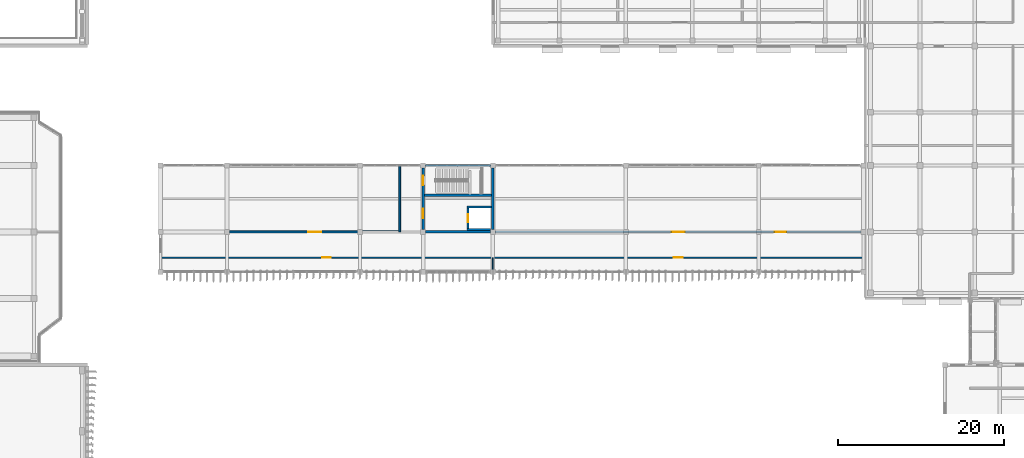
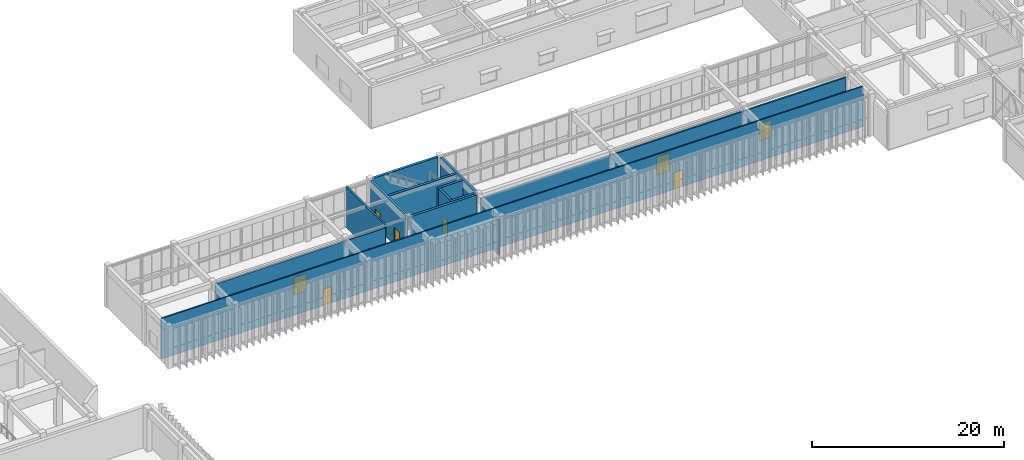
# One storey, part 41 of 64: 14 walls, 8 doors, 8 openings.
"""IFC4 building model written with IfcOpenShell, lengths in metres."""

from ifc_helpers import new_model, si_unit, direction, frame, frame_2d, origin, place, context, subcontext, project, spatial, rectangle, extrude, material, layer, layer_set, type_object, element, fill, save


model = new_model("IFC4")

# Units and contexts
model_context = context("Model", 3, precision=1e-05, world=origin(), true_north=direction((0.0, 1.0)))
body_context = subcontext(model_context, "Body", "Model", "MODEL_VIEW")
ifc_project = project(units=[si_unit("LENGTHUNIT", "METRE"), si_unit("AREAUNIT", "SQUARE_METRE"), si_unit("VOLUMEUNIT", "CUBIC_METRE"), si_unit("PLANEANGLEUNIT", "RADIAN"), si_unit("MASSUNIT", "GRAM", prefix="KILO")], contexts=[model_context])

# Site, building, storey
site_placement = place(None, origin())
site = spatial("IfcSite", under=ifc_project, at=site_placement, CompositionType="ELEMENT")
building_placement = place(site_placement, origin())
building = spatial("IfcBuilding", under=site, at=building_placement, Name="Cinchona Park Media Centre", CompositionType="ELEMENT")
storey_placement = place(building_placement, frame((0.0, 0.0, 10.199951171875)))
storey = spatial("IfcBuildingStorey", under=building, at=storey_placement, Name="L02", CompositionType="ELEMENT", Elevation=10.199951171875)

# Wall
ifc_material_1 = material(Name="Acoustic Double-Stud Gypsum Partition", Category="gypsum")
ifc_layer_1 = layer(ifc_material_1, 0.2099609375)
ifc_layer_set_1 = layer_set([ifc_layer_1], Name="Acoustic Double-Stud Gypsum Partition")
wall_type_1 = type_object("IfcWallType", Name="WALL-W-AC210", PredefinedType="PARTITIONING", material=ifc_layer_set_1)
wall_1_placement = place(storey_placement, frame((83.60009765625, 79.60009765625, 0.0), z_axis=(0.0, 0.0, 1.0), x_axis=(0.0, 1.0, 0.0)))
element("IfcWall", 1, at=wall_1_placement, inside=storey, type_object=wall_type_1, Name="Interior Wall W-AC210 L02", PredefinedType="PARTITIONING", context=body_context, shape_type="SweptSolid", body=[
    extrude(rectangle(XDim=8.0, YDim=0.2099609375, at=frame_2d((4.0, 0.0))), origin(), (0.0, 0.0, 1.0), 5.16015625),
])

# Wall, opening, door
ifc_material_2 = material(Name="Acoustic Double-Stud Gypsum Partition", Category="gypsum")
ifc_layer_2 = layer(ifc_material_2, 0.239990234375)
ifc_layer_set_2 = layer_set([ifc_layer_2], Name="Acoustic Double-Stud Gypsum Partition")
wall_type_2 = type_object("IfcWallType", Name="WALL-W-AC240", PredefinedType="PARTITIONING", material=ifc_layer_set_2)
wall_2_placement = place(storey_placement, frame((63.10205078125, 79.60009765625, 0.0), z_axis=(0.0, 0.0, 1.0), x_axis=(1.0, 0.0, 0.0)))
wall_2 = element("IfcWall", 2, at=wall_2_placement, inside=storey, type_object=wall_type_2, Name="Interior Wall W-AC240 L02", PredefinedType="PARTITIONING", context=body_context, shape_type="SweptSolid", body=[
    extrude(rectangle(XDim=20.498046875, YDim=0.239990234375, at=frame_2d((10.2490234375, 0.0))), origin(), (0.0, 0.0, 1.0), 4.797119140625),
])
opening_1_placement = place(wall_2_placement, frame((9.47412109375, 0.0, 0.0)))
opening_1 = element("IfcOpeningElement", 3, at=opening_1_placement, cuts=wall_2, Name="Opening D282", PredefinedType="OPENING", context=body_context, shape_type="SweptSolid", body=[
    extrude(rectangle(XDim=1.550048828125, YDim=2.25, at=frame_2d((0.77490234375, 1.125))), frame((0.0, 0.1298828125, 0.0), z_axis=(0.0, -1.0, 0.0), x_axis=(1.0, 0.0, 0.0)), (0.0, 0.0, 1.0), 0.260009765625),
])
ifc_material_3 = material(Name="Solid-Core Timber Acoustic Door", Category="wood")
door_type_1 = type_object("IfcDoorType", Name="DOOR-DT16", OperationType="NOTDEFINED", PredefinedType="DOOR", material=ifc_material_3)
door_1_placement = place(opening_1_placement, origin())
door_1 = element("IfcDoor", 4, at=door_1_placement, inside=storey, type_object=door_type_1, Name="Interior Door D282", OperationType="SINGLE_SWING_RIGHT", OverallHeight=2.25, OverallWidth=1.550048828125, PredefinedType="DOOR", context=body_context, shape_type="SweptSolid", body=[
    extrude(rectangle(XDim=1.550048828125, YDim=2.25, at=frame_2d((0.77490234375, 1.125))), frame((0.0, 0.02490234375, 0.0), z_axis=(0.0, -1.0, 0.0), x_axis=(1.0, 0.0, 0.0)), (0.0, 0.0, 1.0), 0.050048828125),
])
fill(opening_1, door_1)

# Wall
ifc_material_4 = material(Name="Gypsum Metal-Stud Partition", Category="gypsum")
ifc_layer_3 = layer(ifc_material_4, 0.135009765625)
ifc_layer_set_3 = layer_set([ifc_layer_3], Name="Gypsum Metal-Stud Partition")
wall_type_3 = type_object("IfcWallType", Name="WALL-W-PT135", PredefinedType="PARTITIONING", material=ifc_layer_set_3)
wall_3_placement = place(storey_placement, frame((94.800048828125, 76.5, 0.0), z_axis=(0.0, 0.0, 1.0), x_axis=(0.0, -1.0, 0.0)))
element("IfcWall", 5, at=wall_3_placement, inside=storey, type_object=wall_type_3, Name="Interior Wall W-PT135 L02", PredefinedType="PARTITIONING", context=body_context, shape_type="SweptSolid", body=[
    extrude(rectangle(XDim=1.39794921875, YDim=0.135009765625, at=frame_2d((0.698974609375, 0.0))), origin(), (0.0, 0.0, 1.0), 4.41015625),
])

# Wall, opening, door
ifc_material_5 = material(Name="Fire-Rated Gypsum Stud Partition", Category="gypsum")
ifc_layer_4 = layer(ifc_material_5, 0.14990234375)
ifc_layer_set_4 = layer_set([ifc_layer_4], Name="Fire-Rated Gypsum Stud Partition")
wall_type_4 = type_object("IfcWallType", Name="WALL-W-PT150", PredefinedType="PARTITIONING", material=ifc_layer_set_4)
wall_4_placement = place(storey_placement, frame((139.39990234375, 76.5, 0.0), z_axis=(0.0, 0.0, 1.0), x_axis=(-1.0, 0.0, 0.0)))
wall_4 = element("IfcWall", 6, at=wall_4_placement, inside=storey, type_object=wall_type_4, Name="Interior Wall W-PT150 L02", PredefinedType="PARTITIONING", context=body_context, shape_type="SweptSolid", body=[
    extrude(rectangle(XDim=44.599853515625, YDim=0.14990234375, at=frame_2d((22.2998046875, 0.0))), origin(), (0.0, 0.0, 1.0), 5.16015625),
])
opening_2_placement = place(wall_4_placement, frame((21.77490234375, 0.0, 0.0)))
opening_2 = element("IfcOpeningElement", 7, at=opening_2_placement, cuts=wall_4, Name="Opening D281", PredefinedType="OPENING", context=body_context, shape_type="SweptSolid", body=[
    extrude(rectangle(XDim=1.050048828125, YDim=2.14990234375, at=frame_2d((0.52490234375, 1.074951171875))), frame((0.0, 0.0849609375, 0.0), z_axis=(0.0, -1.0, 0.0), x_axis=(1.0, 0.0, 0.0)), (0.0, 0.0, 1.0), 0.169921875),
])
ifc_material_6 = material(Name="Solid-Core Timber Acoustic Door", Category="wood")
door_type_2 = type_object("IfcDoorType", Name="DOOR-DT06", OperationType="NOTDEFINED", PredefinedType="DOOR", material=ifc_material_6)
door_2_placement = place(opening_2_placement, origin())
door_2 = element("IfcDoor", 8, at=door_2_placement, inside=storey, type_object=door_type_2, Name="Interior Door D281", OperationType="SINGLE_SWING_LEFT", OverallHeight=2.14990234375, OverallWidth=1.050048828125, PredefinedType="DOOR", context=body_context, shape_type="SweptSolid", body=[
    extrude(rectangle(XDim=1.050048828125, YDim=2.14990234375, at=frame_2d((0.52490234375, 1.074951171875))), frame((0.0, 0.02490234375, 0.0), z_axis=(0.0, -1.0, 0.0), x_axis=(1.0, 0.0, 0.0)), (0.0, 0.0, 1.0), 0.050048828125),
])
fill(opening_2, door_2)

ifc_material_7 = material(Name="Fire-Rated Gypsum Stud Partition", Category="gypsum")
ifc_layer_5 = layer(ifc_material_7, 0.1650390625)
ifc_layer_set_5 = layer_set([ifc_layer_5], Name="Fire-Rated Gypsum Stud Partition")
wall_type_5 = type_object("IfcWallType", Name="WALL-W-PT165", PredefinedType="PARTITIONING", material=ifc_layer_set_5)
wall_5_placement = place(storey_placement, frame((94.800048828125, 76.5, 0.0), z_axis=(0.0, 0.0, 1.0), x_axis=(-1.0, 0.0, 0.0)))
wall_5 = element("IfcWall", 9, at=wall_5_placement, inside=storey, type_object=wall_type_5, Name="Interior Wall W-PT165 L02", PredefinedType="PARTITIONING", context=body_context, shape_type="SweptSolid", body=[
    extrude(rectangle(XDim=40.0, YDim=0.1650390625, at=frame_2d((20.0, 0.0))), origin(), (0.0, 0.0, 1.0), 5.16015625),
])
opening_3_placement = place(wall_5_placement, frame((19.489990234375, 0.0, 0.0)))
opening_3 = element("IfcOpeningElement", 10, at=opening_3_placement, cuts=wall_5, Name="Opening D280", PredefinedType="OPENING", context=body_context, shape_type="SweptSolid", body=[
    extrude(rectangle(XDim=1.02001953125, YDim=2.10009765625, at=frame_2d((0.510009765625, 1.050048828125))), frame((0.0, 0.092529296875, 0.0), z_axis=(0.0, -1.0, 0.0), x_axis=(1.0, 0.0, 0.0)), (0.0, 0.0, 1.0), 0.18505859375),
])
ifc_material_8 = material(Name="Solid-Core Timber Acoustic Door", Category="wood")
door_type_3 = type_object("IfcDoorType", Name="DOOR-DT05", OperationType="NOTDEFINED", PredefinedType="DOOR", material=ifc_material_8)
door_3_placement = place(opening_3_placement, origin())
door_3 = element("IfcDoor", 11, at=door_3_placement, inside=storey, type_object=door_type_3, Name="Interior Door D280", OperationType="SINGLE_SWING_RIGHT", OverallHeight=2.10009765625, OverallWidth=1.02001953125, PredefinedType="DOOR", context=body_context, shape_type="SweptSolid", body=[
    extrude(rectangle(XDim=1.02001953125, YDim=2.10009765625, at=frame_2d((0.510009765625, 1.050048828125))), frame((0.0, 0.02490234375, 0.0), z_axis=(0.0, -1.0, 0.0), x_axis=(1.0, 0.0, 0.0)), (0.0, 0.0, 1.0), 0.050048828125),
])
fill(opening_3, door_3)

# Wall, openings, doors
ifc_material_9 = material(Name="Fire-Rated Gypsum Stud Partition", Category="gypsum")
ifc_layer_6 = layer(ifc_material_9, 0.18994140625)
ifc_layer_set_6 = layer_set([ifc_layer_6], Name="Fire-Rated Gypsum Stud Partition")
wall_type_6 = type_object("IfcWallType", Name="WALL-W-PT190", PredefinedType="PARTITIONING", material=ifc_layer_set_6)
wall_6_placement = place(storey_placement, frame((95.10205078125, 79.60009765625, 0.0), z_axis=(0.0, 0.0, 1.0), x_axis=(1.0, 0.0, 0.0)))
wall_6 = element("IfcWall", 12, at=wall_6_placement, inside=storey, type_object=wall_type_6, Name="Interior Wall W-PT190 L02", PredefinedType="PARTITIONING", context=body_context, shape_type="SweptSolid", body=[
    extrude(rectangle(XDim=43.995849609375, YDim=0.18994140625, at=frame_2d((21.998046875, 0.0))), origin(), (0.0, 0.0, 1.0), 4.510009765625),
])
opening_4_placement = place(wall_6_placement, frame((21.197998046875, 0.0, 0.0)))
opening_4 = element("IfcOpeningElement", 13, at=opening_4_placement, cuts=wall_6, Name="Opening D283", PredefinedType="OPENING", context=body_context, shape_type="SweptSolid", body=[
    extrude(rectangle(XDim=1.60009765625, YDim=2.300048828125, at=frame_2d((0.800048828125, 1.14990234375))), frame((0.0, 0.10498046875, 0.0), z_axis=(0.0, -1.0, 0.0), x_axis=(1.0, 0.0, 0.0)), (0.0, 0.0, 1.0), 0.2099609375),
])
opening_5_placement = place(wall_6_placement, frame((33.616943359375, 0.0, 0.0)))
opening_5 = element("IfcOpeningElement", 14, at=opening_5_placement, cuts=wall_6, Name="Opening D284", PredefinedType="OPENING", context=body_context, shape_type="SweptSolid", body=[
    extrude(rectangle(XDim=1.39990234375, YDim=2.25, at=frame_2d((0.699951171875, 1.125))), frame((0.0, 0.10498046875, 0.0), z_axis=(0.0, -1.0, 0.0), x_axis=(1.0, 0.0, 0.0)), (0.0, 0.0, 1.0), 0.2099609375),
])
ifc_material_10 = material(Name="Acoustic Double-Seal Steel Door", Category="steel")
door_type_4 = type_object("IfcDoorType", Name="DOOR-DT-AC", OperationType="NOTDEFINED", PredefinedType="DOOR", material=ifc_material_10)
door_4_placement = place(opening_5_placement, origin())
door_4 = element("IfcDoor", 15, at=door_4_placement, inside=storey, type_object=door_type_4, Name="Interior Door D284", OperationType="SINGLE_SWING_RIGHT", OverallHeight=2.25, OverallWidth=1.39990234375, PredefinedType="DOOR", context=body_context, shape_type="SweptSolid", body=[
    extrude(rectangle(XDim=1.39990234375, YDim=2.25, at=frame_2d((0.699951171875, 1.125))), frame((0.0, 0.02490234375, 0.0), z_axis=(0.0, -1.0, 0.0), x_axis=(1.0, 0.0, 0.0)), (0.0, 0.0, 1.0), 0.050048828125),
])
fill(opening_5, door_4)
ifc_material_11 = material(Name="Solid-Core Timber Acoustic Door", Category="wood")
door_type_5 = type_object("IfcDoorType", Name="DOOR-DT17", OperationType="NOTDEFINED", PredefinedType="DOOR", material=ifc_material_11)
door_5_placement = place(opening_4_placement, origin())
door_5 = element("IfcDoor", 16, at=door_5_placement, inside=storey, type_object=door_type_5, Name="Interior Door D283", OperationType="SINGLE_SWING_LEFT", OverallHeight=2.300048828125, OverallWidth=1.60009765625, PredefinedType="DOOR", context=body_context, shape_type="SweptSolid", body=[
    extrude(rectangle(XDim=1.60009765625, YDim=2.300048828125, at=frame_2d((0.800048828125, 1.14990234375))), frame((0.0, 0.02490234375, 0.0), z_axis=(0.0, -1.0, 0.0), x_axis=(1.0, 0.0, 0.0)), (0.0, 0.0, 1.0), 0.050048828125),
])
fill(opening_4, door_5)

# Walls
ifc_material_12 = material(Name="Concrete C40/50", Category="concrete")
ifc_layer_7 = layer(ifc_material_12, 0.2900390625)
ifc_layer_set_7 = layer_set([ifc_layer_7], Name="Concrete C40/50")
wall_type_7 = type_object("IfcWallType", Name="WALL-W-SH290", PredefinedType="SHEAR", material=ifc_layer_set_7)
for number, where, z_axis, x_axis, name in (
    (17, (86.701904296875, 79.60009765625, 0.0), (0.0, 0.0, 1.0), (1.0, 0.0, 0.0), "Core Shear Wall W-SH290 L02"),
    (18, (86.701904296875, 87.60009765625, 0.0), (0.0, 0.0, 1.0), (1.0, 0.0, 0.0), "Core Shear Wall W-SH290 L02"),
):
    element("IfcWall", number, at=place(storey_placement, frame(where, z_axis=z_axis, x_axis=x_axis)), inside=storey, type_object=wall_type_7, Name=name, PredefinedType="SHEAR", context=body_context, shape_type="SweptSolid", body=[
        extrude(rectangle(XDim=7.796142578125, YDim=0.2900390625, at=frame_2d((3.89794921875, 0.0))), origin(), (0.0, 0.0, 1.0), 5.16015625),
    ])

# Wall, openings, doors
wall_7_placement = place(storey_placement, frame((86.39990234375, 79.902099609375, 0.0), z_axis=(0.0, 0.0, 1.0), x_axis=(0.0, 1.0, 0.0)))
wall_7 = element("IfcWall", 19, at=wall_7_placement, inside=storey, type_object=wall_type_7, Name="Core Shear Wall W-SH290 L02", PredefinedType="SHEAR", context=body_context, shape_type="SweptSolid", body=[
    extrude(rectangle(XDim=7.39599609375, YDim=0.2900390625, at=frame_2d((3.697998046875, 0.0))), origin(), (0.0, 0.0, 1.0), 5.16015625),
])
opening_6_placement = place(wall_7_placement, frame((5.347900390625, 0.0, 0.0)))
opening_6 = element("IfcOpeningElement", 20, at=opening_6_placement, cuts=wall_7, Name="Opening D084", PredefinedType="OPENING", context=body_context, shape_type="SweptSolid", body=[
    extrude(rectangle(XDim=1.10009765625, YDim=2.14990234375, at=frame_2d((0.550048828125, 1.074951171875))), frame((0.0, 0.155029296875, 0.0), z_axis=(0.0, -1.0, 0.0), x_axis=(1.0, 0.0, 0.0)), (0.0, 0.0, 1.0), 0.31005859375),
])
opening_7_placement = place(wall_7_placement, frame((1.322998046875, 0.0, 0.0)))
opening_7 = element("IfcOpeningElement", 21, at=opening_7_placement, cuts=wall_7, Name="Opening D085", PredefinedType="OPENING", context=body_context, shape_type="SweptSolid", body=[
    extrude(rectangle(XDim=1.14990234375, YDim=2.199951171875, at=frame_2d((0.574951171875, 1.10009765625))), frame((0.0, 0.155029296875, 0.0), z_axis=(0.0, -1.0, 0.0), x_axis=(1.0, 0.0, 0.0)), (0.0, 0.0, 1.0), 0.31005859375),
])
ifc_material_13 = material(Name="Insulated Fire-Rated Steel Door", Category="steel")
door_type_6 = type_object("IfcDoorType", Name="DOOR-DT-FF", OperationType="NOTDEFINED", PredefinedType="DOOR", material=ifc_material_13)
door_6_placement = place(opening_7_placement, origin())
door_6 = element("IfcDoor", 22, at=door_6_placement, inside=storey, type_object=door_type_6, Name="Interior Door D085", OperationType="SINGLE_SWING_LEFT", OverallHeight=2.199951171875, OverallWidth=1.14990234375, PredefinedType="DOOR", context=body_context, shape_type="SweptSolid", body=[
    extrude(rectangle(XDim=1.14990234375, YDim=2.199951171875, at=frame_2d((0.574951171875, 1.10009765625))), frame((0.0, 0.02490234375, 0.0), z_axis=(0.0, -1.0, 0.0), x_axis=(1.0, 0.0, 0.0)), (0.0, 0.0, 1.0), 0.050048828125),
])
fill(opening_7, door_6)
ifc_material_14 = material(Name="Insulated Fire-Rated Steel Door", Category="steel")
door_type_7 = type_object("IfcDoorType", Name="DOOR-DT-ST", OperationType="NOTDEFINED", PredefinedType="DOOR", material=ifc_material_14)
door_7_placement = place(opening_6_placement, origin())
door_7 = element("IfcDoor", 23, at=door_7_placement, inside=storey, type_object=door_type_7, Name="Interior Door D084", OperationType="SINGLE_SWING_RIGHT", OverallHeight=2.14990234375, OverallWidth=1.10009765625, PredefinedType="DOOR", context=body_context, shape_type="SweptSolid", body=[
    extrude(rectangle(XDim=1.10009765625, YDim=2.14990234375, at=frame_2d((0.550048828125, 1.074951171875))), frame((0.0, 0.02490234375, 0.0), z_axis=(0.0, -1.0, 0.0), x_axis=(1.0, 0.0, 0.0)), (0.0, 0.0, 1.0), 0.050048828125),
])
fill(opening_6, door_7)

# Walls
wall_8_placement = place(storey_placement, frame((94.800048828125, 79.902099609375, 0.0), z_axis=(0.0, 0.0, 1.0), x_axis=(0.0, 1.0, 0.0)))
element("IfcWall", 24, at=wall_8_placement, inside=storey, type_object=wall_type_7, Name="Core Shear Wall W-SH290 L02", PredefinedType="SHEAR", context=body_context, shape_type="SweptSolid", body=[
    extrude(rectangle(XDim=7.39599609375, YDim=0.2900390625, at=frame_2d((3.697998046875, 0.0))), origin(), (0.0, 0.0, 1.0), 5.16015625),
])
wall_9_placement = place(storey_placement, frame((86.544921875, 84.0, 0.0), z_axis=(0.0, 0.0, 1.0), x_axis=(1.0, 0.0, 0.0)))
element("IfcWall", 25, at=wall_9_placement, inside=storey, type_object=wall_type_7, Name="Core Shear Wall W-SH290 L02", PredefinedType="SHEAR", context=body_context, shape_type="SweptSolid", body=[
    extrude(rectangle(XDim=8.110107421875, YDim=0.2900390625, at=frame_2d((4.05517578125, 0.0))), origin(), (0.0, 0.0, 1.0), 5.16015625),
])
wall_10_placement = place(storey_placement, frame((91.655029296875, 79.89990234375, 0.0), z_axis=(0.0, 0.0, 1.0), x_axis=(1.0, 0.0, 0.0)))
element("IfcWall", 26, at=wall_10_placement, inside=storey, type_object=wall_type_7, Name="Core Shear Wall W-SH290 L02", PredefinedType="SHEAR", context=body_context, shape_type="SweptSolid", body=[
    extrude(rectangle(XDim=2.843017578125, YDim=0.2900390625, at=frame_2d((1.42138671875, 0.0))), origin(), (0.0, 0.0, 1.0), 5.16015625),
])
wall_11_placement = place(storey_placement, frame((91.655029296875, 82.60009765625, 0.0), z_axis=(0.0, 0.0, 1.0), x_axis=(1.0, 0.0, 0.0)))
element("IfcWall", 27, at=wall_11_placement, inside=storey, type_object=wall_type_7, Name="Core Shear Wall W-SH290 L02", PredefinedType="SHEAR", context=body_context, shape_type="SweptSolid", body=[
    extrude(rectangle(XDim=2.989990234375, YDim=0.2900390625, at=frame_2d((1.4951171875, 0.0))), origin(), (0.0, 0.0, 1.0), 5.16015625),
])

# Wall, opening, door
wall_12_placement = place(storey_placement, frame((91.800048828125, 80.044921875, 0.0), z_axis=(0.0, 0.0, 1.0), x_axis=(0.0, 1.0, 0.0)))
wall_12 = element("IfcWall", 28, at=wall_12_placement, inside=storey, type_object=wall_type_7, Name="Core Shear Wall W-SH290 L02", PredefinedType="SHEAR", context=body_context, shape_type="SweptSolid", body=[
    extrude(rectangle(XDim=2.41015625, YDim=0.2900390625, at=frame_2d((1.205078125, 0.0))), origin(), (0.0, 0.0, 1.0), 5.16015625),
])
opening_8_placement = place(wall_12_placement, frame((0.705078125, 0.0, 0.0)))
opening_8 = element("IfcOpeningElement", 29, at=opening_8_placement, cuts=wall_12, Name="Opening LD26", PredefinedType="OPENING", context=body_context, shape_type="SweptSolid", body=[
    extrude(rectangle(XDim=1.0, YDim=2.14990234375, at=frame_2d((0.5, 1.074951171875))), frame((0.0, 0.155029296875, 0.0), z_axis=(0.0, -1.0, 0.0), x_axis=(1.0, 0.0, 0.0)), (0.0, 0.0, 1.0), 0.31005859375),
])
ifc_material_15 = material(Name="Stainless Steel Sliding Lift Landing Door", Category="steel")
door_type_8 = type_object("IfcDoorType", Name="DOOR-DT-LD2", OperationType="NOTDEFINED", PredefinedType="DOOR", material=ifc_material_15)
door_8_placement = place(opening_8_placement, origin())
door_8 = element("IfcDoor", 30, at=door_8_placement, inside=storey, type_object=door_type_8, Name="Lift Landing Door LD26", OperationType="SLIDING_TO_LEFT", OverallHeight=2.14990234375, OverallWidth=1.0, PredefinedType="DOOR", context=body_context, shape_type="SweptSolid", body=[
    extrude(rectangle(XDim=1.0, YDim=2.14990234375, at=frame_2d((0.5, 1.074951171875))), frame((0.0, 0.02490234375, 0.0), z_axis=(0.0, -1.0, 0.0), x_axis=(1.0, 0.0, 0.0)), (0.0, 0.0, 1.0), 0.050048828125),
])
fill(opening_8, door_8)

save(model, "model.ifc")
